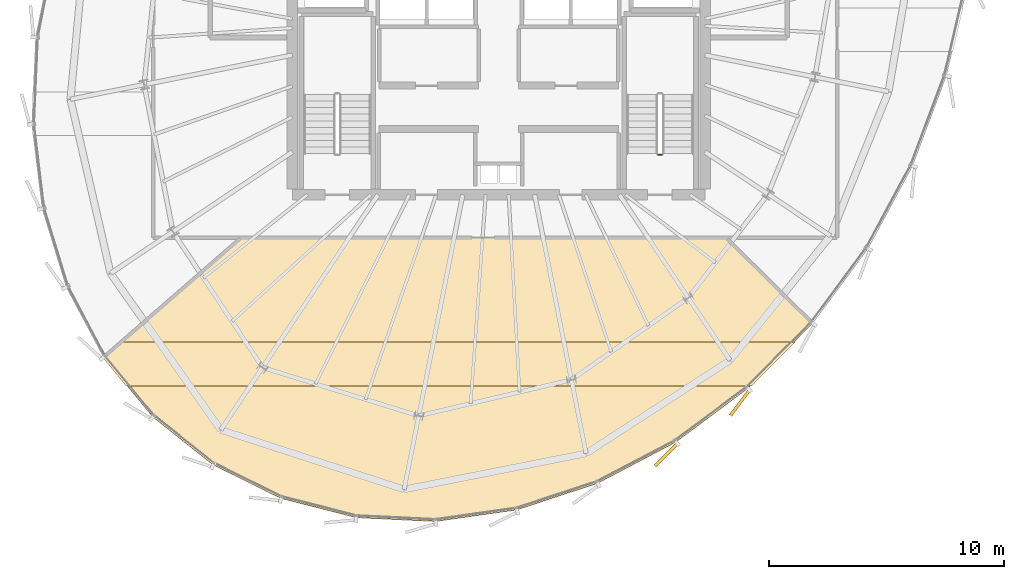
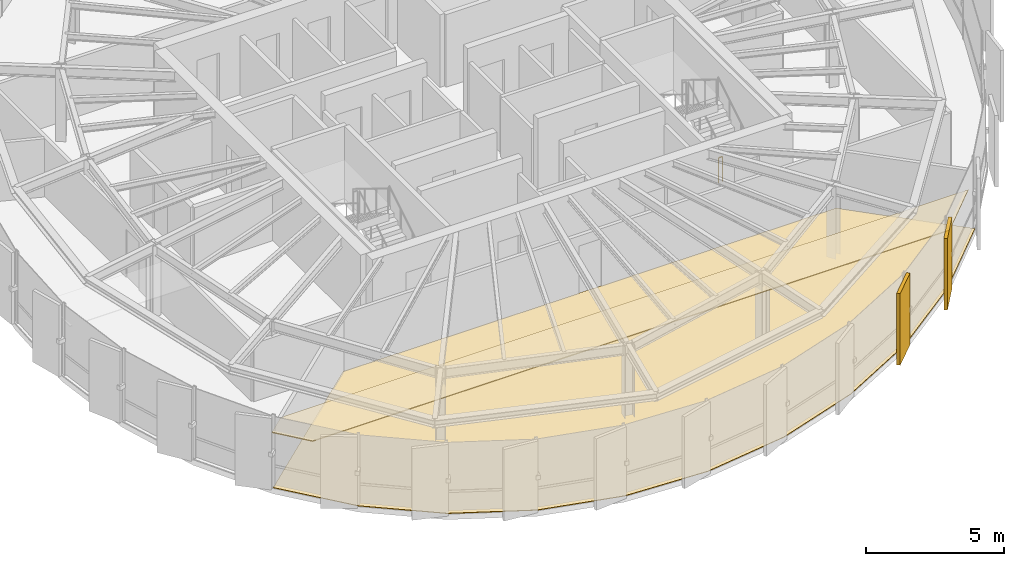
# One storey, part 30 of 33: 4 coverings, 1 railing.
"""IFC4 building model written with IfcOpenShell, lengths in metres."""

from ifc_helpers import new_model, si_unit, direction, frame, origin, origin_2d, place, context, subcontext, project, spatial, polyline, rectangle, circle, outline, extrude, source, transform, mapped, material, layer, layer_set, type_object, element, save


model = new_model("IFC4")

# Units and contexts
model_context = context("Model", 3, precision=1e-05, world=origin(), true_north=direction((0.0, 1.0)))
body_context = subcontext(model_context, "Body", "Model", "MODEL_VIEW")
ifc_project = project(units=[si_unit("LENGTHUNIT", "METRE"), si_unit("AREAUNIT", "SQUARE_METRE"), si_unit("VOLUMEUNIT", "CUBIC_METRE"), si_unit("PLANEANGLEUNIT", "RADIAN"), si_unit("MASSUNIT", "GRAM", prefix="KILO"), si_unit("THERMODYNAMICTEMPERATUREUNIT", "KELVIN")], contexts=[model_context])

# Site, building, storey
site_placement = place(None, origin())
site = spatial("IfcSite", under=ifc_project, at=site_placement, CompositionType="ELEMENT")
building_placement = place(site_placement, origin())
building = spatial("IfcBuilding", under=site, at=building_placement, Name="Kethvar Cultural Tower", CompositionType="ELEMENT")
storey_placement = place(building_placement, frame((0.0, 0.0, 266.35009765625)))
storey = spatial("IfcBuildingStorey", under=building, at=storey_placement, Name="L70", CompositionType="ELEMENT", Elevation=266.35009765625)

# Coverings
ifc_material_1 = material(Name="Acoustic Mineral Fibre Ceiling")
ifc_layer_1 = layer(ifc_material_1, 0.0400390625, Name="Acoustic Mineral Fibre Ceiling")
ifc_layer_set_1 = layer_set([ifc_layer_1], Name="Acoustic Mineral Fibre Ceiling (40 mm)")
covering_type_1 = type_object("IfcCoveringType", Name="CV-ACOUSTIC-CEIL", PredefinedType="CEILING", material=ifc_layer_set_1)
covering_1_placement = place(storey_placement, frame((0.0, 0.0, 2.449951171875)))
element("IfcCovering", 1, at=covering_1_placement, inside=storey, type_object=covering_type_1, Name="L70 Room 01 Acoustic Ceiling Panel", PredefinedType="CEILING", context=body_context, shape_type="SweptSolid", body=[
    extrude(outline(polyline([(57.580078125, 11.9423828125), (30.919189453125, 11.9423828125), (29.92529296875, 13.156982421875), (30.670654296875, 13.812255859375), (59.436279296875, 13.812255859375), (57.580078125, 11.9423828125)])), origin(), (0.0, 0.0, 1.0), 0.0400390625),
])
ifc_material_2 = material(Name="Architectural Oak Timber", Category="wood")
ifc_layer_2 = layer(ifc_material_2, 0.02490234375, Name="Architectural Oak Timber", Category="wood")
ifc_layer_set_2 = layer_set([ifc_layer_2], Name="Architectural Oak Timber (25 mm)")
covering_type_2 = type_object("IfcCoveringType", Name="CV-OAK-FLOOR", PredefinedType="FLOORING", material=ifc_layer_set_2)
covering_2_placement = place(storey_placement, origin())
element("IfcCovering", 2, at=covering_2_placement, inside=storey, type_object=covering_type_2, Name="L70 Room 01 Floor Finish", PredefinedType="FLOORING", context=body_context, shape_type="SweptSolid", body=[
    extrude(outline(polyline([(60.173583984375, 14.61181640625), (57.423583984375, 11.84130859375), (54.337646484375, 9.54296875), (51.022705078125, 7.79931640625), (47.57958984375, 6.66357421875), (44.11328125, 6.170166015625), (40.728515625, 6.333740234375), (37.528564453125, 7.1494140625), (34.6103515625, 8.59228515625), (32.062255859375, 10.618408203125), (29.972900390625, 13.153076171875), (35.837890625, 18.2490234375), (56.4775390625, 18.2490234375), (60.173583984375, 14.61181640625)])), origin(), (0.0, 0.0, 1.0), 0.02490234375),
])

# Railing
ifc_material_3 = material(Name="Steel S355J2", Category="steel")
railing_type = type_object("IfcRailingType", Name="RL-STAIR-GUARD", PredefinedType="BALUSTRADE", material=ifc_material_3)
railing_placement = place(storey_placement, frame((53.760009765625, 21.800048828125, 0.0)))
element("IfcRailing", 3, at=railing_placement, inside=storey, type_object=railing_type, Name="L70 ST-02 stair guard 4", PredefinedType="BALUSTRADE", context=body_context, shape_type="SweptSolid", body=[
    extrude(circle(Radius=0.02392578125, at=origin_2d()), frame((0.0, 0.0, 1.09619140625), z_axis=(-1.0, 0.0, 0.0), x_axis=(0.0, -1.0, 0.0)), (0.0, 0.0, 1.0), 0.159912109375),
    extrude(circle(Radius=0.02099609375, at=origin_2d()), origin(), (0.0, 0.0, 1.0), 1.072021484375),
    extrude(circle(Radius=0.02099609375, at=origin_2d()), frame((-0.159912109375, 0.0, 0.0)), (0.0, 0.0, 1.0), 1.072021484375),
])

# Coverings
ifc_material_4 = material(Name="Extruded Architectural Terracotta", Category="masonry")
ifc_layer_3 = layer(ifc_material_4, 0.135009765625, Name="Extruded Architectural Terracotta", Category="masonry")
ifc_layer_set_3 = layer_set([ifc_layer_3], Name="Extruded Architectural Terracotta (135 mm)")
covering_type_3 = type_object("IfcCoveringType", Name="Terracotta Facade Fin FIN-03", PredefinedType="CLADDING", material=ifc_layer_set_3)
shared_shape = source(origin(), body_context, "Body", "SweptSolid", [
    extrude(rectangle(XDim=1.35009765625, YDim=0.135009765625, at=origin_2d()), origin(), (0.0, 0.0, 1.0), 3.169921875),
])
for number, where, z_axis, x_axis, name in (
    (4, (53.94482421875, 9.008544921875, 0.02001953125), (0.0, 0.0, 1.0), (-0.711044961634, -0.703146544139, 0.0), "L70 Vertical Terracotta Fin 5.1"),
    (5, (57.08935546875, 11.229248046875, 0.02001953125), (0.0, 0.0, 1.0), (-0.598883835404, -0.800835908093, 0.0), "L70 Vertical Terracotta Fin 5.2"),
):
    element("IfcCovering", number, at=place(storey_placement, frame(where, z_axis=z_axis, x_axis=x_axis)), inside=storey, type_object=covering_type_3, Name=name, PredefinedType="CLADDING", context=body_context, shape_type="MappedRepresentation", body=[
        mapped(shared_shape, transform((0.0, 0.0, 0.0), scale=1.0)),
    ])

save(model, "model.ifc")
